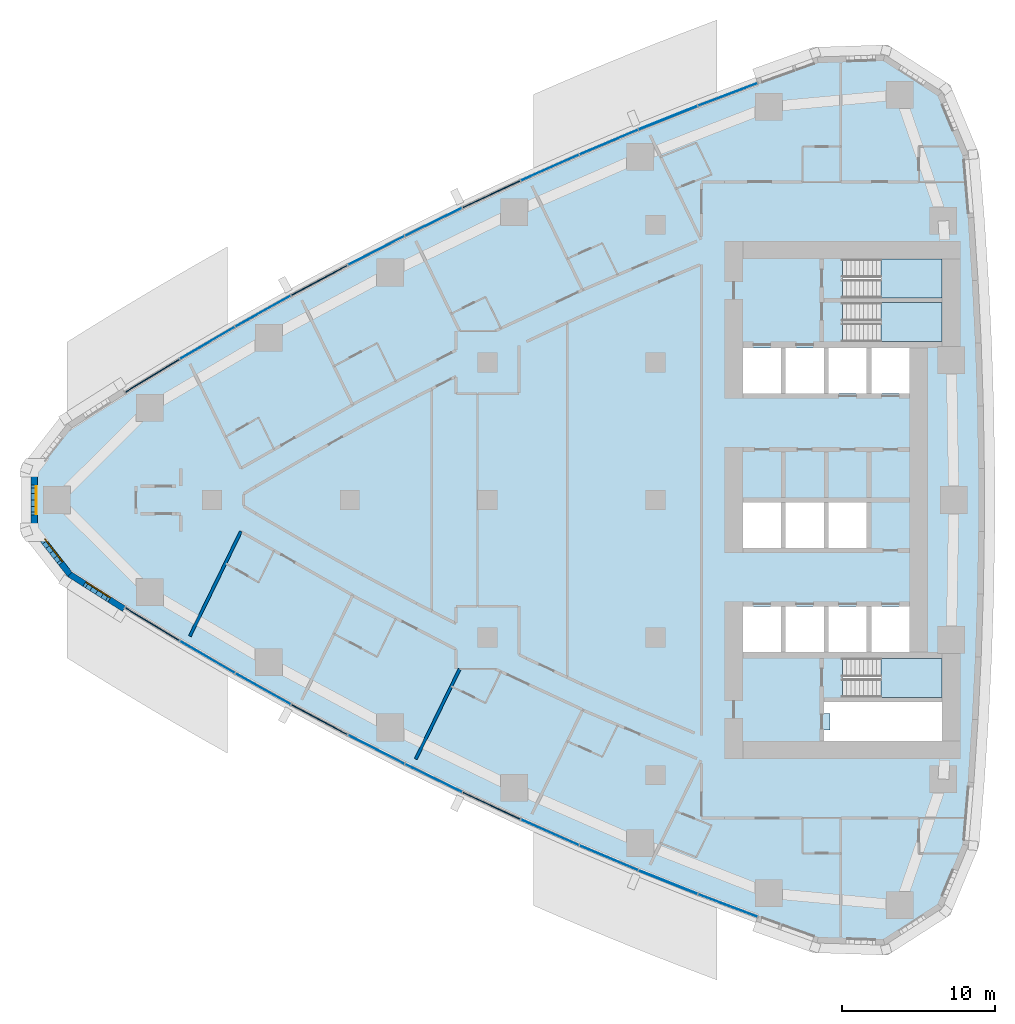
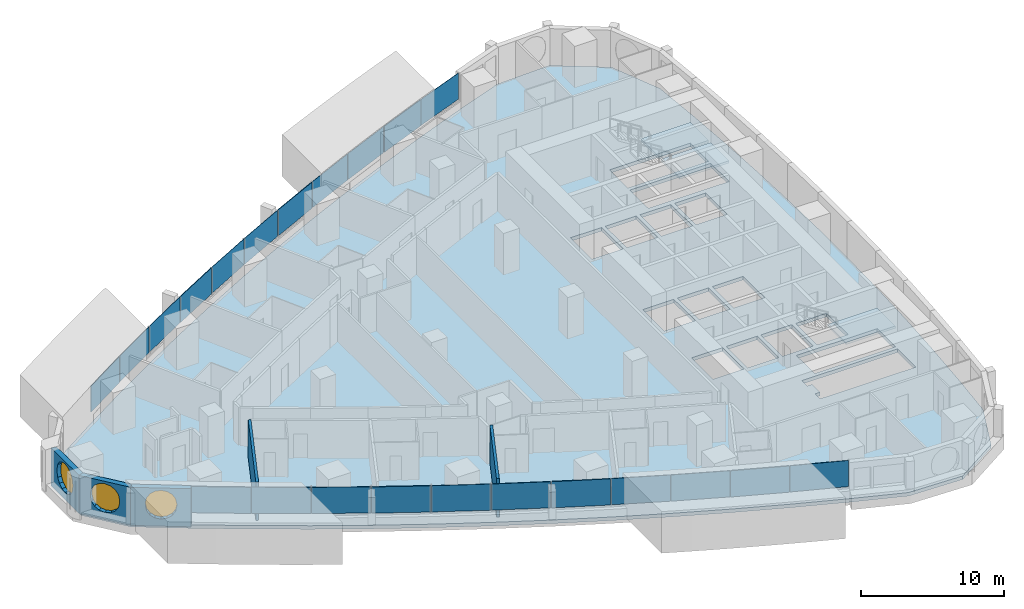
# One storey, part 8 of 19: 22 plates, 5 walls, 4 slabs, 3 windows, 4 openings, 13 elements without a shape of their own.
"""IFC4 building model written with IfcOpenShell, lengths in metres."""

import ifcopenshell
import ifcopenshell.guid

model = None  # the IFC model being written
_history = None  # IfcOwnerHistory: only IFC2X3 demands one
_inside = {}  # id of a spatial element -> (the spatial element, [elements in it])
_under = {}  # id of a project, library or spatial element -> (it, [spatial elements below it])
_declared = {}  # id of a project -> (the project, [libraries it declares])
_typed = {}  # id of a type object -> (the type object, [elements of that type])
_made_of = {}  # id of a material, layer set ... -> (it, [elements and type objects made of it])


def new_model(schema):
    """Start an empty IFC model of exactly this schema.

    Asked for "IFC4X3", IfcOpenShell would pick the latest addendum, in which some entities
    have other attributes; the version numbers below select the first issue.
    IFC2X3 requires an IfcOwnerHistory on every rooted entity: one is made here for all.
    """
    global model, _history
    if schema == "IFC4X3":
        model = ifcopenshell.file(schema_version=(4, 3, 0, 0))
    else:
        model = ifcopenshell.file(schema=schema)
    _inside.clear()
    _under.clear()
    _declared.clear()
    _typed.clear()
    _made_of.clear()
    _history = None
    if model.schema == "IFC2X3":
        org = make("IfcOrganization", Name="unknown")
        user = make(
            "IfcPersonAndOrganization",
            ThePerson=make("IfcPerson", FamilyName="unknown"),
            TheOrganization=org,
        )
        app = make(
            "IfcApplication",
            ApplicationDeveloper=org,
            Version="unknown",
            ApplicationFullName="unknown",
            ApplicationIdentifier="unknown",
        )
        _history = make(
            "IfcOwnerHistory",
            OwningUser=user,
            OwningApplication=app,
            ChangeAction="ADDED",
            CreationDate=0,
        )
    return model


def make(cls, **values):
    """One entity of the class cls with the attributes given. An attribute that is None is left unset."""
    return model.create_entity(
        cls, **{name: value for name, value in values.items() if value is not None}
    )


def rooted(cls, **values):
    """An entity with a GlobalId (a new one), such as an element, a storey or a relation."""
    return make(cls, GlobalId=ifcopenshell.guid.new(), OwnerHistory=_history, **values)


def si_unit(unit_type, name, prefix=None):
    """IfcSIUnit, for example si_unit("LENGTHUNIT", "METRE", prefix="MILLI")."""
    return make("IfcSIUnit", UnitType=unit_type, Prefix=prefix, Name=name)


def assignment(units):
    """IfcUnitAssignment: the units of a project."""
    return None if units is None else make("IfcUnitAssignment", Units=units)


def point(xyz):
    """IfcCartesianPoint."""
    return None if xyz is None else make("IfcCartesianPoint", Coordinates=xyz)


def direction(xyz):
    """IfcDirection."""
    return None if xyz is None else make("IfcDirection", DirectionRatios=xyz)


def frame(location, z_axis=None, x_axis=None):
    """IfcAxis2Placement3D, a coordinate frame: its origin and axes. An axis left out is left unset."""
    return make(
        "IfcAxis2Placement3D",
        Location=point(location),
        Axis=direction(z_axis),
        RefDirection=direction(x_axis),
    )


def frame_2d(location, x_axis=None):
    """IfcAxis2Placement2D, a coordinate frame in the plane: its origin and x axis."""
    return make(
        "IfcAxis2Placement2D", Location=point(location), RefDirection=direction(x_axis)
    )


def origin():
    """The frame at (0, 0, 0) with its axes left unset."""
    return frame((0.0, 0.0, 0.0))


def origin_2d():
    """The frame at (0, 0) in the plane with its x axis left unset."""
    return frame_2d((0.0, 0.0))


def place(relative_to, where):
    """IfcLocalPlacement: puts the frame where relative to a parent placement (None: the world)."""
    return make(
        "IfcLocalPlacement", PlacementRelTo=relative_to, RelativePlacement=where
    )


def context(
    kind, dimensions, precision=None, world=None, true_north=None, identifier=None
):
    """IfcGeometricRepresentationContext, for example the 3D "Model" context."""
    return make(
        "IfcGeometricRepresentationContext",
        ContextIdentifier=identifier,
        ContextType=kind,
        CoordinateSpaceDimension=dimensions,
        Precision=precision,
        WorldCoordinateSystem=world,
        TrueNorth=true_north,
    )


def subcontext(parent, identifier, kind, view, scale=None):
    """IfcGeometricRepresentationSubContext, for example "Body" below "Model"."""
    return make(
        "IfcGeometricRepresentationSubContext",
        ContextIdentifier=identifier,
        ContextType=kind,
        ParentContext=parent,
        TargetScale=scale,
        TargetView=view,
    )


def project(units=None, contexts=None):
    """IfcProject with its units and contexts."""
    return rooted(
        "IfcProject",
        Name="project",
        RepresentationContexts=contexts,
        UnitsInContext=assignment(units),
    )


def spatial(cls, under=None, at=None, **own):
    """A site, building, storey or space (cls), placed at a placement, below another one or the project."""
    s = rooted(cls, ObjectPlacement=at, **own)
    if under is not None:
        _under.setdefault(under.id(), (under, []))[1].append(s)
    return s


def polyline(points):
    """IfcPolyline through the points."""
    return make("IfcPolyline", Points=[point(p) for p in points])


def profile(cls, at=None, kind="AREA", **sizes):
    """A parametric profile (cls). Its sizes go by their IFC names, for example OverallWidth=200.0."""
    return make(cls, ProfileType=kind, Position=at, **sizes)


def rectangle(**sizes):
    """IfcRectangleProfileDef."""
    return profile("IfcRectangleProfileDef", **sizes)


def outline(outer, holes=None, kind="AREA"):
    """IfcArbitraryClosedProfileDef: a profile drawn as a closed curve; with holes, ...WithVoids."""
    if holes is None:
        return make("IfcArbitraryClosedProfileDef", ProfileType=kind, OuterCurve=outer)
    return make(
        "IfcArbitraryProfileDefWithVoids",
        ProfileType=kind,
        OuterCurve=outer,
        InnerCurves=holes,
    )


def extrude(swept, where, along, depth):
    """IfcExtrudedAreaSolid: the profile swept, set in the frame where, extruded along a direction by depth."""
    return make(
        "IfcExtrudedAreaSolid",
        SweptArea=swept,
        Position=where,
        ExtrudedDirection=direction(along),
        Depth=depth,
    )


def shape(context_of_items, identifier, shape_type, items):
    """IfcShapeRepresentation: the items that make up one representation, for example the "Body"."""
    return make(
        "IfcShapeRepresentation",
        ContextOfItems=context_of_items,
        RepresentationIdentifier=identifier,
        RepresentationType=shape_type,
        Items=items,
    )


def material(Name=None, Category=None):
    """IfcMaterial."""
    return make("IfcMaterial", Name=Name, Category=Category)


def layer(
    of_material, thickness, ventilated=None, Name=None, Category=None, Priority=None
):
    """IfcMaterialLayer: one layer of a wall or slab, of a material (None: an air gap)."""
    return make(
        "IfcMaterialLayer",
        Material=of_material,
        LayerThickness=thickness,
        IsVentilated=ventilated,
        Name=Name,
        Category=Category,
        Priority=Priority,
    )


def layer_set(layers, Name=None):
    """IfcMaterialLayerSet."""
    return make("IfcMaterialLayerSet", MaterialLayers=layers, LayerSetName=Name)


def made_of(thing, what):
    """Note that an element or type object is made of a material, layer set ...; save() writes the relation."""
    if what is not None:
        _made_of.setdefault(what.id(), (what, []))[1].append(thing)
    return thing


def type_object(cls, material=None, **own):
    """A type object (cls), such as IfcWallType, which elements share."""
    return made_of(rooted(cls, **own), material)


def element(
    cls,
    number,
    at=None,
    inside=None,
    cuts=None,
    type_object=None,
    material=None,
    context=None,
    identifier="Body",
    shape_type=None,
    held_by="IfcProductDefinitionShape",
    body=None,
    shapes=None,
    **own,
):
    """One element of the class cls, such as IfcWall. Its Tag is "e" and its number.

    at: its placement. inside: the storey or other place that contains it. cuts: it is an
    opening in that element (IfcRelVoidsElement). A single representation is given by context,
    identifier, shape_type and body (its items); several are given by shapes. held_by: the class
    of the entity that holds the representations. save() writes the other relations.
    """
    e = rooted(cls, Tag="e%d" % number, ObjectPlacement=at, **own)
    if body is not None:
        shapes = [shape(context, identifier, shape_type, body)]
    if shapes is not None:
        e.Representation = make(held_by, Representations=shapes)
    if inside is not None:
        _inside.setdefault(inside.id(), (inside, []))[1].append(e)
    if cuts is not None:
        rooted(
            "IfcRelVoidsElement", RelatingBuildingElement=cuts, RelatedOpeningElement=e
        )
    if type_object is not None:
        _typed.setdefault(type_object.id(), (type_object, []))[1].append(e)
    return made_of(e, material)


def fill(opening, filler):
    """IfcRelFillsElement: the door or window that sits in an opening."""
    return rooted(
        "IfcRelFillsElement",
        RelatingOpeningElement=opening,
        RelatedBuildingElement=filler,
    )


def aggregate(whole, parts):
    """IfcRelAggregates: a whole, such as a stair, and the parts it consists of."""
    return rooted("IfcRelAggregates", RelatingObject=whole, RelatedObjects=parts)


def save(model, path):
    """Write the relations noted so far, then the file.

    IfcRelAggregates (storeys below a building ...), IfcRelContainedInSpatialStructure (elements
    in a storey), IfcRelDefinesByType, IfcRelAssociatesMaterial and IfcRelDeclares: one each for
    every whole, place, type object, material and project.
    """
    for whole, parts in _under.values():
        aggregate(whole, parts)
    for where, things in _inside.values():
        rooted(
            "IfcRelContainedInSpatialStructure",
            RelatedElements=things,
            RelatingStructure=where,
        )
    for kind, things in _typed.values():
        rooted("IfcRelDefinesByType", RelatedObjects=things, RelatingType=kind)
    for what, things in _made_of.values():
        rooted("IfcRelAssociatesMaterial", RelatedObjects=things, RelatingMaterial=what)
    for by, libraries in _declared.values():
        rooted("IfcRelDeclares", RelatingContext=by, RelatedDefinitions=libraries)
    model.write(path)


model = new_model("IFC4")

# Units and contexts
model_context = context("Model", 3, precision=1e-05, world=origin(), true_north=direction((0.0, 1.0)))
body_context = subcontext(model_context, "Body", "Model", "MODEL_VIEW")
ifc_project = project(units=[si_unit("LENGTHUNIT", "METRE"), si_unit("AREAUNIT", "SQUARE_METRE"), si_unit("VOLUMEUNIT", "CUBIC_METRE"), si_unit("PLANEANGLEUNIT", "RADIAN"), si_unit("MASSUNIT", "GRAM", prefix="KILO")], contexts=[model_context])

# Site, building, storey
site_placement = place(None, origin())
site = spatial("IfcSite", under=ifc_project, at=site_placement, CompositionType="ELEMENT")
building_placement = place(site_placement, origin())
building = spatial("IfcBuilding", under=site, at=building_placement, Name="Ostrand Prow Hotel Tower", CompositionType="ELEMENT")
storey_placement = place(building_placement, frame((0.0, 0.0, 50.25)))
storey = spatial("IfcBuildingStorey", under=building, at=storey_placement, Name="L10", CompositionType="ELEMENT", Elevation=50.25)

# Curtain wall, plate
ifc_material_1 = material(Name="Insulated glass in bronze anodised frame", Category="glass")
ifc_layer_1 = layer(ifc_material_1, 0.199951171875)
ifc_layer_set_1 = layer_set([ifc_layer_1], Name="Insulated glass in bronze anodised frame")
curtain_wall_type = type_object("IfcCurtainWallType", Name="Strip curtain wall, fritted glass over bronze spandrel", PredefinedType="NOTDEFINED", material=ifc_layer_set_1)
curtain_wall_1_placement = place(storey_placement, origin())
curtain_wall_1 = element("IfcCurtainWall", 1, at=curtain_wall_1_placement, inside=storey, type_object=curtain_wall_type, Name="CW1 run CWS1", PredefinedType="NOTDEFINED")
ifc_material_2 = material(Name="Ceramic-fritted glass", Category="glass")
ifc_layer_2 = layer(ifc_material_2, 0.031982421875)
ifc_layer_set_2 = layer_set([ifc_layer_2], Name="Ceramic-fritted glass")
plate_type_1 = type_object("IfcPlateType", Name="Dot-fritted ceramic glass unit 32 mm", PredefinedType="CURTAIN_PANEL", material=ifc_layer_set_2)
plate_1_placement = place(storey_placement, frame((15.688720703125, -10.268798828125, 1.02001953125), z_axis=(0.0, 0.0, 1.0), x_axis=(0.863690392896, -0.50402272292, 0.0)))
plate_1 = element("IfcPlate", 2, at=plate_1_placement, type_object=plate_type_1, Name="CW1 PN-D panel 2.2", PredefinedType="CURTAIN_PANEL", context=body_context, shape_type="SweptSolid", body=[
    extrude(rectangle(XDim=4.13427734375, YDim=0.031982421875, at=origin_2d()), origin(), (0.0, 0.0, 1.0), 2.22998046875),
])

# Curtain wall, plates
curtain_wall_2_placement = place(storey_placement, origin())
curtain_wall_2 = element("IfcCurtainWall", 3, at=curtain_wall_2_placement, inside=storey, type_object=curtain_wall_type, Name="CW1 run CWS2", PredefinedType="NOTDEFINED")
plate_2_placement = place(storey_placement, frame((19.33056640625, -12.349365234375, 1.02001953125), z_axis=(0.0, 0.0, 1.0), x_axis=(0.872819029241, -0.488043996167, 0.0)))
plate_2 = element("IfcPlate", 4, at=plate_2_placement, type_object=plate_type_1, Name="CW1 PN-D panel 1.2", PredefinedType="CURTAIN_PANEL", context=body_context, shape_type="SweptSolid", body=[
    extrude(rectangle(XDim=4.13427734375, YDim=0.031982421875, at=origin_2d()), origin(), (0.0, 0.0, 1.0), 2.22998046875),
])
plate_3_placement = place(storey_placement, frame((26.7255859375, -16.3076171875, 1.02001953125), z_axis=(0.0, 0.0, 1.0), x_axis=(0.890186565631, -0.455596179055, 0.0)))
plate_3 = element("IfcPlate", 5, at=plate_3_placement, type_object=plate_type_1, Name="CW1 PN-D panel 3.2", PredefinedType="CURTAIN_PANEL", context=body_context, shape_type="SweptSolid", body=[
    extrude(rectangle(XDim=4.13427734375, YDim=0.031982421875, at=origin_2d()), origin(), (0.0, 0.0, 1.0), 2.22998046875),
])

# Curtain wall, plate
curtain_wall_3_placement = place(storey_placement, origin())
curtain_wall_3 = element("IfcCurtainWall", 6, at=curtain_wall_3_placement, inside=storey, type_object=curtain_wall_type, Name="CW1 run CWS3", PredefinedType="NOTDEFINED")
plate_4_placement = place(storey_placement, frame((30.4765625, -18.183837890625, 1.02001953125), z_axis=(0.0, 0.0, 1.0), x_axis=(0.898419584131, -0.439138077204, 0.0)))
plate_4 = element("IfcPlate", 7, at=plate_4_placement, type_object=plate_type_1, Name="CW1 PN-D panel 1.2", PredefinedType="CURTAIN_PANEL", context=body_context, shape_type="SweptSolid", body=[
    extrude(rectangle(XDim=4.13427734375, YDim=0.031982421875, at=origin_2d()), origin(), (0.0, 0.0, 1.0), 2.22998046875),
])

# Curtain wall, plates
curtain_wall_4_placement = place(storey_placement, origin())
curtain_wall_4 = element("IfcCurtainWall", 8, at=curtain_wall_4_placement, inside=storey, type_object=curtain_wall_type, Name="CW1 run CWS4", PredefinedType="NOTDEFINED")
plate_5_placement = place(storey_placement, frame((38.078857421875, -21.72802734375, 1.02001953125), z_axis=(0.0, 0.0, 1.0), x_axis=(0.913970890274, -0.405779757666, 0.0)))
plate_5 = element("IfcPlate", 9, at=plate_5_placement, type_object=plate_type_1, Name="CW1 PN-D panel 1.2", PredefinedType="CURTAIN_PANEL", context=body_context, shape_type="SweptSolid", body=[
    extrude(rectangle(XDim=4.13427734375, YDim=0.031982421875, at=origin_2d()), origin(), (0.0, 0.0, 1.0), 2.22998046875),
])
plate_6_placement = place(storey_placement, frame((41.927490234375, -23.39453125, 1.02001953125), z_axis=(0.0, 0.0, 1.0), x_axis=(0.921283173987, -0.388892418709, 0.0)))
plate_6 = element("IfcPlate", 10, at=plate_6_placement, type_object=plate_type_1, Name="CW1 PN-D panel 2.2", PredefinedType="CURTAIN_PANEL", context=body_context, shape_type="SweptSolid", body=[
    extrude(rectangle(XDim=4.13427734375, YDim=0.031982421875, at=origin_2d()), origin(), (0.0, 0.0, 1.0), 2.22998046875),
])
aggregate(curtain_wall_4, [plate_5, plate_6])

# Curtain wall, plate
curtain_wall_5_placement = place(storey_placement, origin())
curtain_wall_5 = element("IfcCurtainWall", 11, at=curtain_wall_5_placement, inside=storey, type_object=curtain_wall_type, Name="CW1 run CWS5", PredefinedType="NOTDEFINED")
plate_7_placement = place(storey_placement, frame((49.7138671875, -26.513671875, 1.02001953125), z_axis=(0.0, 0.0, 1.0), x_axis=(0.934969388384, -0.354728407072, 0.0)))
plate_7 = element("IfcPlate", 12, at=plate_7_placement, type_object=plate_type_1, Name="CW1 PN-D panel 2.2", PredefinedType="CURTAIN_PANEL", context=body_context, shape_type="SweptSolid", body=[
    extrude(rectangle(XDim=4.13427734375, YDim=0.031982421875, at=origin_2d()), origin(), (0.0, 0.0, 1.0), 2.22998046875),
])

curtain_wall_6_placement = place(storey_placement, origin())
curtain_wall_6 = element("IfcCurtainWall", 13, at=curtain_wall_6_placement, inside=storey, type_object=curtain_wall_type, Name="CW1 run CWN1", PredefinedType="NOTDEFINED")
plate_8_placement = place(storey_placement, frame((49.7138671875, 26.513671875, 1.02001953125), z_axis=(0.0, 0.0, 1.0), x_axis=(-0.934969388384, -0.354728407072, 0.0)))
plate_8 = element("IfcPlate", 14, at=plate_8_placement, type_object=plate_type_1, Name="CW1 PN-D panel 1.2", PredefinedType="CURTAIN_PANEL", context=body_context, shape_type="SweptSolid", body=[
    extrude(rectangle(XDim=4.13427734375, YDim=0.031982421875, at=origin_2d()), origin(), (0.0, 0.0, 1.0), 2.22998046875),
])

# Curtain wall, plates
curtain_wall_7_placement = place(storey_placement, origin())
curtain_wall_7 = element("IfcCurtainWall", 15, at=curtain_wall_7_placement, inside=storey, type_object=curtain_wall_type, Name="CW1 run CWN2", PredefinedType="NOTDEFINED")
plate_9_placement = place(storey_placement, frame((41.927490234375, 23.39453125, 1.02001953125), z_axis=(0.0, 0.0, 1.0), x_axis=(-0.921283173987, -0.388892418709, 0.0)))
plate_9 = element("IfcPlate", 16, at=plate_9_placement, type_object=plate_type_1, Name="CW1 PN-D panel 1.2", PredefinedType="CURTAIN_PANEL", context=body_context, shape_type="SweptSolid", body=[
    extrude(rectangle(XDim=4.13427734375, YDim=0.031982421875, at=origin_2d()), origin(), (0.0, 0.0, 1.0), 2.22998046875),
])
plate_10_placement = place(storey_placement, frame((38.078857421875, 21.72802734375, 1.02001953125), z_axis=(0.0, 0.0, 1.0), x_axis=(-0.913970890274, -0.405779757666, 0.0)))
plate_10 = element("IfcPlate", 17, at=plate_10_placement, type_object=plate_type_1, Name="CW1 PN-D panel 2.2", PredefinedType="CURTAIN_PANEL", context=body_context, shape_type="SweptSolid", body=[
    extrude(rectangle(XDim=4.13427734375, YDim=0.031982421875, at=origin_2d()), origin(), (0.0, 0.0, 1.0), 2.22998046875),
])
aggregate(curtain_wall_7, [plate_9, plate_10])

# Curtain wall, plate
curtain_wall_8_placement = place(storey_placement, origin())
curtain_wall_8 = element("IfcCurtainWall", 18, at=curtain_wall_8_placement, inside=storey, type_object=curtain_wall_type, Name="CW1 run CWN3", PredefinedType="NOTDEFINED")
plate_11_placement = place(storey_placement, frame((30.4765625, 18.183837890625, 1.02001953125), z_axis=(0.0, 0.0, 1.0), x_axis=(-0.898419584131, -0.439138077204, 0.0)))
plate_11 = element("IfcPlate", 19, at=plate_11_placement, type_object=plate_type_1, Name="CW1 PN-D panel 2.2", PredefinedType="CURTAIN_PANEL", context=body_context, shape_type="SweptSolid", body=[
    extrude(rectangle(XDim=4.13427734375, YDim=0.031982421875, at=origin_2d()), origin(), (0.0, 0.0, 1.0), 2.22998046875),
])

# Curtain wall, plates
curtain_wall_9_placement = place(storey_placement, origin())
curtain_wall_9 = element("IfcCurtainWall", 20, at=curtain_wall_9_placement, inside=storey, type_object=curtain_wall_type, Name="CW1 run CWN4", PredefinedType="NOTDEFINED")
plate_12_placement = place(storey_placement, frame((26.7255859375, 16.3076171875, 1.02001953125), z_axis=(0.0, 0.0, 1.0), x_axis=(-0.890186565631, -0.455596179055, 0.0)))
plate_12 = element("IfcPlate", 21, at=plate_12_placement, type_object=plate_type_1, Name="CW1 PN-D panel 1.2", PredefinedType="CURTAIN_PANEL", context=body_context, shape_type="SweptSolid", body=[
    extrude(rectangle(XDim=4.13427734375, YDim=0.031982421875, at=origin_2d()), origin(), (0.0, 0.0, 1.0), 2.22998046875),
])
plate_13_placement = place(storey_placement, frame((19.33056640625, 12.349365234375, 1.02001953125), z_axis=(0.0, 0.0, 1.0), x_axis=(-0.872819029241, -0.488043996167, 0.0)))
plate_13 = element("IfcPlate", 22, at=plate_13_placement, type_object=plate_type_1, Name="CW1 PN-D panel 3.2", PredefinedType="CURTAIN_PANEL", context=body_context, shape_type="SweptSolid", body=[
    extrude(rectangle(XDim=4.13427734375, YDim=0.031982421875, at=origin_2d()), origin(), (0.0, 0.0, 1.0), 2.22998046875),
])

# Curtain wall, plate
curtain_wall_10_placement = place(storey_placement, origin())
curtain_wall_10 = element("IfcCurtainWall", 23, at=curtain_wall_10_placement, inside=storey, type_object=curtain_wall_type, Name="CW1 run CWN5", PredefinedType="NOTDEFINED")
plate_14_placement = place(storey_placement, frame((15.688720703125, 10.268798828125, 1.02001953125), z_axis=(0.0, 0.0, 1.0), x_axis=(-0.863690392896, -0.50402272292, 0.0)))
plate_14 = element("IfcPlate", 24, at=plate_14_placement, type_object=plate_type_1, Name="CW1 PN-D panel 1.2", PredefinedType="CURTAIN_PANEL", context=body_context, shape_type="SweptSolid", body=[
    extrude(rectangle(XDim=4.13427734375, YDim=0.031982421875, at=origin_2d()), origin(), (0.0, 0.0, 1.0), 2.22998046875),
])

# Plate
ifc_material_3 = material(Name="Fritted glass in bronze vent frame", Category="glass")
ifc_layer_3 = layer(ifc_material_3, 0.06005859375)
ifc_layer_set_3 = layer_set([ifc_layer_3], Name="Fritted glass in bronze vent frame")
plate_type_2 = type_object("IfcPlateType", Name="Operable vent panel 60 mm", PredefinedType="CURTAIN_PANEL", material=ifc_layer_set_3)
plate_15_placement = place(storey_placement, frame((12.0859375, -8.12158203125, 1.02001953125), z_axis=(0.0, 0.0, 1.0), x_axis=(0.854269266322, -0.519830761515, 0.0)))
plate_15 = element("IfcPlate", 25, at=plate_15_placement, type_object=plate_type_2, Name="CW1 PN-O panel 1.2", PredefinedType="CURTAIN_PANEL", context=body_context, shape_type="SweptSolid", body=[
    extrude(rectangle(XDim=4.13427734375, YDim=0.06005859375, at=origin_2d()), origin(), (0.0, 0.0, 1.0), 2.22998046875),
])

aggregate(curtain_wall_1, [plate_15, plate_1])

plate_16_placement = place(storey_placement, frame((23.009765625, -14.362548828125, 1.02001953125), z_axis=(0.0, 0.0, 1.0), x_axis=(0.881652083929, -0.471899992481, 0.0)))
plate_16 = element("IfcPlate", 26, at=plate_16_placement, type_object=plate_type_2, Name="CW1 PN-O panel 2.2", PredefinedType="CURTAIN_PANEL", context=body_context, shape_type="SweptSolid", body=[
    extrude(rectangle(XDim=4.13427734375, YDim=0.06005859375, at=origin_2d()), origin(), (0.0, 0.0, 1.0), 2.22998046875),
])

aggregate(curtain_wall_2, [plate_2, plate_16, plate_3])

plate_17_placement = place(storey_placement, frame((34.26123046875, -19.990966796875, 1.02001953125), z_axis=(0.0, 0.0, 1.0), x_axis=(0.906349088757, -0.422529678615, 0.0)))
plate_17 = element("IfcPlate", 27, at=plate_17_placement, type_object=plate_type_2, Name="CW1 PN-O panel 2.2", PredefinedType="CURTAIN_PANEL", context=body_context, shape_type="SweptSolid", body=[
    extrude(rectangle(XDim=4.13427734375, YDim=0.06005859375, at=origin_2d()), origin(), (0.0, 0.0, 1.0), 2.22998046875),
])

aggregate(curtain_wall_3, [plate_4, plate_17])

plate_18_placement = place(storey_placement, frame((45.806396484375, -24.989990234375, 1.02001953125), z_axis=(0.0, 0.0, 1.0), x_axis=(0.928283463577, -0.371873380669, 0.0)))
plate_18 = element("IfcPlate", 28, at=plate_18_placement, type_object=plate_type_2, Name="CW1 PN-O panel 1.2", PredefinedType="CURTAIN_PANEL", context=body_context, shape_type="SweptSolid", body=[
    extrude(rectangle(XDim=4.13427734375, YDim=0.06005859375, at=origin_2d()), origin(), (0.0, 0.0, 1.0), 2.22998046875),
])

aggregate(curtain_wall_5, [plate_18, plate_7])

plate_19_placement = place(storey_placement, frame((45.806396484375, 24.989990234375, 1.02001953125), z_axis=(0.0, 0.0, 1.0), x_axis=(-0.928283463577, -0.371873380669, 0.0)))
plate_19 = element("IfcPlate", 29, at=plate_19_placement, type_object=plate_type_2, Name="CW1 PN-O panel 2.2", PredefinedType="CURTAIN_PANEL", context=body_context, shape_type="SweptSolid", body=[
    extrude(rectangle(XDim=4.13427734375, YDim=0.06005859375, at=origin_2d()), origin(), (0.0, 0.0, 1.0), 2.22998046875),
])

aggregate(curtain_wall_6, [plate_8, plate_19])

plate_20_placement = place(storey_placement, frame((34.26123046875, 19.990966796875, 1.02001953125), z_axis=(0.0, 0.0, 1.0), x_axis=(-0.906349088757, -0.422529678615, 0.0)))
plate_20 = element("IfcPlate", 30, at=plate_20_placement, type_object=plate_type_2, Name="CW1 PN-O panel 1.2", PredefinedType="CURTAIN_PANEL", context=body_context, shape_type="SweptSolid", body=[
    extrude(rectangle(XDim=4.13427734375, YDim=0.06005859375, at=origin_2d()), origin(), (0.0, 0.0, 1.0), 2.22998046875),
])

aggregate(curtain_wall_8, [plate_20, plate_11])

plate_21_placement = place(storey_placement, frame((23.009765625, 14.362548828125, 1.02001953125), z_axis=(0.0, 0.0, 1.0), x_axis=(-0.881652083929, -0.471899992481, 0.0)))
plate_21 = element("IfcPlate", 31, at=plate_21_placement, type_object=plate_type_2, Name="CW1 PN-O panel 2.2", PredefinedType="CURTAIN_PANEL", context=body_context, shape_type="SweptSolid", body=[
    extrude(rectangle(XDim=4.13427734375, YDim=0.06005859375, at=origin_2d()), origin(), (0.0, 0.0, 1.0), 2.22998046875),
])

aggregate(curtain_wall_9, [plate_12, plate_21, plate_13])

plate_22_placement = place(storey_placement, frame((12.0859375, 8.12158203125, 1.02001953125), z_axis=(0.0, 0.0, 1.0), x_axis=(-0.854269266322, -0.519830761515, 0.0)))
plate_22 = element("IfcPlate", 32, at=plate_22_placement, type_object=plate_type_2, Name="CW1 PN-O panel 2.2", PredefinedType="CURTAIN_PANEL", context=body_context, shape_type="SweptSolid", body=[
    extrude(rectangle(XDim=4.13427734375, YDim=0.06005859375, at=origin_2d()), origin(), (0.0, 0.0, 1.0), 2.22998046875),
])

aggregate(curtain_wall_10, [plate_14, plate_22])

# Slab, opening
ifc_material_4 = material(Name="Concrete C40/50", Category="concrete")
ifc_layer_4 = layer(ifc_material_4, 0.300048828125)
ifc_layer_set_4 = layer_set([ifc_layer_4], Name="Concrete C40/50")
slab_type_1 = type_object("IfcSlabType", Name="PT flat plate 300 C40/50", PredefinedType="FLOOR", material=ifc_layer_set_4)
slab_1_placement = place(storey_placement, frame((0.0, 0.0, -0.300048828125)))
slab_1 = element("IfcSlab", 33, at=slab_1_placement, inside=storey, type_object=slab_type_1, Name="Floor slab L10-1", PredefinedType="FLOOR", context=body_context, shape_type="SweptSolid", body=[
    extrude(outline(polyline([(6.690673828125, 4.805908203125), (10.26806640625, 7.073974609375), (13.851806640625, 9.2548828125), (17.47509765625, 11.369384765625), (21.136962890625, 13.416748046875), (24.83544921875, 15.396484375), (28.570068359375, 17.3076171875), (32.339111328125, 19.14990234375), (36.141357421875, 20.922607421875), (39.9755859375, 22.625), (43.840576171875, 24.25634765625), (47.73486328125, 25.81640625), (51.6572265625, 27.3046875), (55.64111328125, 28.73291015625), (59.92333984375, 28.873046875), (63.55908203125, 26.53369140625), (65.2060546875, 22.578369140625), (65.552978515625, 18.45166015625), (65.828369140625, 14.356689453125), (66.034912109375, 10.2578125), (66.172607421875, 6.15576171875), (66.241455078125, 2.052001953125), (66.241455078125, -2.052001953125), (66.172607421875, -6.15576171875), (66.034912109375, -10.2578125), (65.828369140625, -14.356689453125), (65.552978515625, -18.45166015625), (65.2060546875, -22.578369140625), (63.55908203125, -26.53369140625), (59.92333984375, -28.873046875), (55.64111328125, -28.73291015625), (51.6572265625, -27.3046875), (47.73486328125, -25.81640625), (43.840576171875, -24.25634765625), (39.9755859375, -22.625), (36.141357421875, -20.922607421875), (32.339111328125, -19.14990234375), (28.570068359375, -17.3076171875), (24.83544921875, -15.396484375), (21.136962890625, -13.416748046875), (17.47509765625, -11.369384765625), (13.851806640625, -9.2548828125), (10.26806640625, -7.073974609375), (6.690673828125, -4.805908203125), (4.399169921875, -1.8798828125), (4.399169921875, 1.8798828125), (6.690673828125, 4.805908203125)]), holes=[polyline([(50.699951171875, 6.949951171875), (53.199951171875, 6.949951171875), (53.199951171875, 9.949951171875), (50.699951171875, 9.949951171875), (50.699951171875, 6.949951171875)]), polyline([(53.5, 6.949951171875), (56.0, 6.949951171875), (56.0, 9.949951171875), (53.5, 9.949951171875), (53.5, 6.949951171875)]), polyline([(56.300048828125, 6.949951171875), (58.800048828125, 6.949951171875), (58.800048828125, 9.949951171875), (56.300048828125, 9.949951171875), (56.300048828125, 6.949951171875)]), polyline([(59.10009765625, 6.949951171875), (61.60009765625, 6.949951171875), (61.60009765625, 9.949951171875), (59.10009765625, 9.949951171875), (59.10009765625, 6.949951171875)]), polyline([(50.699951171875, -3.14990234375), (53.199951171875, -3.14990234375), (53.199951171875, -0.14990234375), (50.699951171875, -0.14990234375), (50.699951171875, -3.14990234375)]), polyline([(53.5, -3.14990234375), (56.0, -3.14990234375), (56.0, -0.14990234375), (53.5, -0.14990234375), (53.5, -3.14990234375)]), polyline([(56.300048828125, -3.14990234375), (58.800048828125, -3.14990234375), (58.800048828125, -0.14990234375), (56.300048828125, -0.14990234375), (56.300048828125, -3.14990234375)]), polyline([(50.699951171875, -9.949951171875), (53.199951171875, -9.949951171875), (53.199951171875, -6.949951171875), (50.699951171875, -6.949951171875), (50.699951171875, -9.949951171875)]), polyline([(53.5, -9.949951171875), (56.0, -9.949951171875), (56.0, -6.949951171875), (53.5, -6.949951171875), (53.5, -9.949951171875)]), polyline([(56.300048828125, -9.949951171875), (58.800048828125, -9.949951171875), (58.800048828125, -6.949951171875), (56.300048828125, -6.949951171875), (56.300048828125, -9.949951171875)]), polyline([(59.10009765625, -9.949951171875), (61.60009765625, -9.949951171875), (61.60009765625, -6.949951171875), (59.10009765625, -6.949951171875), (59.10009765625, -9.949951171875)]), polyline([(57.200927734375, 10.35107421875), (57.200927734375, 12.89892578125), (63.718994140625, 12.89892578125), (63.718994140625, 10.35107421875), (57.200927734375, 10.35107421875)]), polyline([(57.200927734375, 13.200927734375), (57.200927734375, 15.7490234375), (63.718994140625, 15.7490234375), (63.718994140625, 13.200927734375), (57.200927734375, 13.200927734375)]), polyline([(57.200927734375, -12.89892578125), (57.200927734375, -10.35107421875), (63.718994140625, -10.35107421875), (63.718994140625, -12.89892578125), (57.200927734375, -12.89892578125)]), polyline([(56.0, -13.199951171875), (63.719970703125, -13.199951171875), (63.719970703125, -15.75), (56.0, -15.75), (56.0, -15.050048828125), (56.39990234375, -15.050048828125), (56.39990234375, -13.949951171875), (56.0, -13.949951171875), (56.0, -13.199951171875)])]), origin(), (0.0, 0.0, 1.0), 0.300048828125),
])
opening_1_placement = place(slab_1_placement, origin())
element("IfcOpeningElement", 34, at=opening_1_placement, cuts=slab_1, Name="Shaft opening 1", PredefinedType="OPENING", context=body_context, shape_type="SweptSolid", body=[
    extrude(outline(polyline([(56.0, -13.199951171875), (63.719970703125, -13.199951171875), (63.719970703125, -15.75), (56.0, -15.75), (56.0, -15.050048828125), (56.39990234375, -15.050048828125), (56.39990234375, -13.949951171875), (56.0, -13.949951171875), (56.0, -13.199951171875)])), origin(), (0.0, 0.0, 1.0), 0.300048828125),
])

# Stair, slab
ifc_material_5 = material(Name="Concrete C40/50", Category="concrete")
stair_type = type_object("IfcStairType", Name="Exit stair 1200 upper zone", PredefinedType="HALF_TURN_STAIR", material=ifc_material_5)
stair_1_placement = place(storey_placement, origin())
stair_1 = element("IfcStair", 35, at=stair_1_placement, inside=storey, type_object=stair_type, Name="L10 ST1C", PredefinedType="HALF_TURN_STAIR")
ifc_material_6 = material(Name="Concrete C40/50", Category="concrete")
ifc_layer_5 = layer(ifc_material_6, 0.199951171875)
ifc_layer_set_5 = layer_set([ifc_layer_5], Name="Concrete C40/50")
slab_type_2 = type_object("IfcSlabType", Name="Stair landing 200 concrete", PredefinedType="LANDING", material=ifc_layer_set_5)
slab_2_placement = place(storey_placement, frame((0.0, 0.0, 1.574951171875)))
slab_2 = element("IfcSlab", 36, at=slab_2_placement, type_object=slab_type_2, Name="ST1C landing 1", PredefinedType="LANDING", context=body_context, shape_type="SweptSolid", body=[
    extrude(outline(polyline([(59.719970703125, 10.35009765625), (63.719970703125, 10.35009765625), (63.719970703125, 12.89990234375), (59.719970703125, 12.89990234375), (59.719970703125, 10.35009765625)])), origin(), (0.0, 0.0, 1.0), 0.199951171875),
])
aggregate(stair_1, [slab_2])

stair_2_placement = place(storey_placement, origin())
stair_2 = element("IfcStair", 37, at=stair_2_placement, inside=storey, type_object=stair_type, Name="L10 ST3C", PredefinedType="HALF_TURN_STAIR")
slab_3_placement = place(storey_placement, frame((0.0, 0.0, 1.574951171875)))
slab_3 = element("IfcSlab", 38, at=slab_3_placement, type_object=slab_type_2, Name="ST3C landing 1", PredefinedType="LANDING", context=body_context, shape_type="SweptSolid", body=[
    extrude(outline(polyline([(59.719970703125, 13.199951171875), (63.719970703125, 13.199951171875), (63.719970703125, 15.75), (59.719970703125, 15.75), (59.719970703125, 13.199951171875)])), origin(), (0.0, 0.0, 1.0), 0.199951171875),
])
aggregate(stair_2, [slab_3])

stair_3_placement = place(storey_placement, origin())
stair_3 = element("IfcStair", 39, at=stair_3_placement, inside=storey, type_object=stair_type, Name="L10 ST2C", PredefinedType="HALF_TURN_STAIR")
slab_4_placement = place(storey_placement, frame((0.0, 0.0, 1.574951171875)))
slab_4 = element("IfcSlab", 40, at=slab_4_placement, type_object=slab_type_2, Name="ST2C landing 1", PredefinedType="LANDING", context=body_context, shape_type="SweptSolid", body=[
    extrude(outline(polyline([(59.719970703125, -12.89990234375), (63.719970703125, -12.89990234375), (63.719970703125, -10.35009765625), (59.719970703125, -10.35009765625), (59.719970703125, -12.89990234375)])), origin(), (0.0, 0.0, 1.0), 0.199951171875),
])
aggregate(stair_3, [slab_4])

# Walls
ifc_material_7 = material(Name="Plasterboard partition")
ifc_layer_6 = layer(ifc_material_7, 0.199951171875)
ifc_layer_set_6 = layer_set([ifc_layer_6], Name="Plasterboard partition")
wall_type_1 = type_object("IfcWallType", Name="Partition 200 key partition", PredefinedType="PARTITIONING", material=ifc_layer_set_6)
wall_1_placement = place(storey_placement, frame((14.540771484375, -8.904296875, 0.0), z_axis=(0.0, 0.0, 1.0), x_axis=(0.438213564788, 0.898870887078, 0.0)))
element("IfcWall", 41, at=wall_1_placement, inside=storey, type_object=wall_type_1, Name="KEY PARTITION", PredefinedType="PARTITIONING", context=body_context, shape_type="SweptSolid", body=[
    extrude(rectangle(XDim=7.62548828125, YDim=0.199951171875, at=frame_2d((3.812744140625, 0.0))), origin(), (0.0, 0.0, 1.0), 3.25),
])
wall_2_placement = place(storey_placement, frame((29.310302734375, -16.946044921875, 0.0), z_axis=(0.0, 0.0, 1.0), x_axis=(0.438228560869, 0.898863576099, 0.0)))
element("IfcWall", 42, at=wall_2_placement, inside=storey, type_object=wall_type_1, Name="KEY PARTITION", PredefinedType="PARTITIONING", context=body_context, shape_type="SweptSolid", body=[
    extrude(rectangle(XDim=6.559326171875, YDim=0.199951171875, at=frame_2d((3.27978515625, 0.0))), origin(), (0.0, 0.0, 1.0), 3.25),
])

# Wall, opening, window
ifc_material_8 = material(Name="Precast concrete C40/50", Category="concrete")
ifc_layer_7 = layer(ifc_material_8, 0.39990234375)
ifc_layer_set_7 = layer_set([ifc_layer_7], Name="Precast concrete C40/50")
wall_type_2 = type_object("IfcWallType", Name="Stone-faced precast wall 400 mm", PredefinedType="NOTDEFINED", material=ifc_layer_set_7)
wall_3_placement = place(storey_placement, frame((4.365478515625, 1.891357421875, 0.0), z_axis=(0.0, 0.0, 1.0), x_axis=(0.0, -1.0, 0.0)))
wall_3 = element("IfcWall", 43, at=wall_3_placement, inside=storey, type_object=wall_type_2, Name="Stone-faced wall prow 3", PredefinedType="NOTDEFINED", context=body_context, shape_type="SweptSolid", body=[
    extrude(outline(polyline([(-0.069091796875, -0.199951171875), (3.851806640625, -0.199951171875), (3.713623046875, 0.199951171875), (0.069091796875, 0.199951171875), (-0.069091796875, -0.199951171875)])), origin(), (0.0, 0.0, 1.0), 3.25),
])
opening_2_placement = place(wall_3_placement, frame((0.79150390625, 0.0, 0.60009765625)))
opening_2 = element("IfcOpeningElement", 44, at=opening_2_placement, cuts=wall_3, Name="Opening WP1", PredefinedType="OPENING", context=body_context, shape_type="SweptSolid", body=[
    extrude(outline(polyline([(0.0, 1.35009765625), (0.083740234375, 1.77099609375), (0.322265625, 2.127685546875), (0.678955078125, 2.3662109375), (1.10009765625, 2.449951171875), (1.52099609375, 2.3662109375), (1.877685546875, 2.127685546875), (2.1162109375, 1.77099609375), (2.199951171875, 1.35009765625), (2.199951171875, 1.10009765625), (2.1162109375, 0.678955078125), (1.877685546875, 0.322265625), (1.52099609375, 0.083740234375), (1.10009765625, 0.0), (0.678955078125, 0.083740234375), (0.322265625, 0.322265625), (0.083740234375, 0.678955078125), (0.0, 1.099853515625), (0.0, 1.35009765625)])), frame((0.0, 0.2099609375, 0.0), z_axis=(0.0, -1.0, 0.0), x_axis=(1.0, 0.0, 0.0)), (0.0, 0.0, 1.0), 0.419921875),
])
ifc_material_9 = material(Name="Insulated glass in bronze frame", Category="glass")
window_type = type_object("IfcWindowType", Name="Round-ended prow window 2200x2450", PartitioningType="SINGLE_PANEL", PredefinedType="WINDOW", material=ifc_material_9)
window_1_placement = place(opening_2_placement, origin())
window_1 = element("IfcWindow", 45, at=window_1_placement, inside=storey, type_object=window_type, Name="Window prow 3.1", OverallHeight=2.449951171875, OverallWidth=2.199951171875, PartitioningType="SINGLE_PANEL", PredefinedType="WINDOW", context=body_context, shape_type="SweptSolid", body=[
    extrude(outline(polyline([(0.0, 1.35009765625), (0.083740234375, 1.77099609375), (0.322265625, 2.127685546875), (0.678955078125, 2.3662109375), (1.10009765625, 2.449951171875), (1.52099609375, 2.3662109375), (1.877685546875, 2.127685546875), (2.1162109375, 1.77099609375), (2.199951171875, 1.35009765625), (2.199951171875, 1.10009765625), (2.1162109375, 0.678955078125), (1.877685546875, 0.322265625), (1.52099609375, 0.083740234375), (1.10009765625, 0.0), (0.678955078125, 0.083740234375), (0.322265625, 0.322265625), (0.083740234375, 0.678955078125), (0.0, 1.099853515625), (0.0, 1.35009765625)])), frame((0.0, 0.169921875, 0.0), z_axis=(0.0, -1.0, 0.0), x_axis=(1.0, 0.0, 0.0)), (0.0, 0.0, 1.0), 0.06005859375),
])
fill(opening_2, window_1)

wall_4_placement = place(storey_placement, frame((4.365478515625, -1.891357421875, 0.0), z_axis=(0.0, 0.0, 1.0), x_axis=(0.616586647779, -0.787287054245, 0.0)))
wall_4 = element("IfcWall", 46, at=wall_4_placement, inside=storey, type_object=wall_type_2, Name="Stone-faced wall prow 4", PredefinedType="NOTDEFINED", context=body_context, shape_type="SweptSolid", body=[
    extrude(outline(polyline([(-0.069091796875, -0.199951171875), (3.8173828125, -0.199951171875), (3.74853515625, 0.199951171875), (0.069091796875, 0.199951171875), (-0.069091796875, -0.199951171875)])), origin(), (0.0, 0.0, 1.0), 3.25),
])
opening_3_placement = place(wall_4_placement, frame((0.79150390625, 0.0, 0.60009765625)))
opening_3 = element("IfcOpeningElement", 47, at=opening_3_placement, cuts=wall_4, Name="Opening WP1", PredefinedType="OPENING", context=body_context, shape_type="SweptSolid", body=[
    extrude(outline(polyline([(0.0, 1.35009765625), (0.083740234375, 1.77099609375), (0.322265625, 2.127685546875), (0.678955078125, 2.3662109375), (1.10009765625, 2.449951171875), (1.52099609375, 2.3662109375), (1.877685546875, 2.127685546875), (2.1162109375, 1.77099609375), (2.199951171875, 1.35009765625), (2.199951171875, 1.10009765625), (2.1162109375, 0.678955078125), (1.877685546875, 0.322265625), (1.52099609375, 0.083740234375), (1.10009765625, 0.0), (0.678955078125, 0.083740234375), (0.322265625, 0.322265625), (0.083740234375, 0.678955078125), (0.0, 1.099853515625), (0.0, 1.35009765625)])), frame((0.0, 0.2099609375, 0.0), z_axis=(0.0, -1.0, 0.0), x_axis=(1.0, 0.0, 0.0)), (0.0, 0.0, 1.0), 0.419921875),
])
window_2_placement = place(opening_3_placement, origin())
window_2 = element("IfcWindow", 48, at=window_2_placement, inside=storey, type_object=window_type, Name="Window prow 4.1", OverallHeight=2.449951171875, OverallWidth=2.199951171875, PartitioningType="SINGLE_PANEL", PredefinedType="WINDOW", context=body_context, shape_type="SweptSolid", body=[
    extrude(outline(polyline([(0.0, 1.35009765625), (0.083740234375, 1.77099609375), (0.322265625, 2.127685546875), (0.678955078125, 2.3662109375), (1.10009765625, 2.449951171875), (1.52099609375, 2.3662109375), (1.877685546875, 2.127685546875), (2.1162109375, 1.77099609375), (2.199951171875, 1.35009765625), (2.199951171875, 1.10009765625), (2.1162109375, 0.678955078125), (1.877685546875, 0.322265625), (1.52099609375, 0.083740234375), (1.10009765625, 0.0), (0.678955078125, 0.083740234375), (0.322265625, 0.322265625), (0.083740234375, 0.678955078125), (0.0, 1.099853515625), (0.0, 1.35009765625)])), frame((0.0, 0.169921875, 0.0), z_axis=(0.0, -1.0, 0.0), x_axis=(1.0, 0.0, 0.0)), (0.0, 0.0, 1.0), 0.06005859375),
])
fill(opening_3, window_2)

wall_5_placement = place(storey_placement, frame((6.697998046875, -4.86962890625, 0.0), z_axis=(0.0, 0.0, 1.0), x_axis=(0.844551578623, -0.535474211372, 0.0)))
wall_5 = element("IfcWall", 49, at=wall_5_placement, inside=storey, type_object=wall_type_2, Name="Stone-faced wall prow 5", PredefinedType="NOTDEFINED", context=body_context, shape_type="SweptSolid", body=[
    extrude(outline(polyline([(-0.034423828125, -0.199951171875), (4.196044921875, -0.199951171875), (4.196044921875, 0.199951171875), (0.034423828125, 0.199951171875), (-0.034423828125, -0.199951171875)])), origin(), (0.0, 0.0, 1.0), 3.25),
])
opening_4_placement = place(wall_5_placement, frame((0.998046875, 0.0, 0.60009765625)))
opening_4 = element("IfcOpeningElement", 50, at=opening_4_placement, cuts=wall_5, Name="Opening WP1", PredefinedType="OPENING", context=body_context, shape_type="SweptSolid", body=[
    extrude(outline(polyline([(0.0, 1.35009765625), (0.083740234375, 1.77099609375), (0.322265625, 2.127685546875), (0.678955078125, 2.3662109375), (1.10009765625, 2.449951171875), (1.52099609375, 2.3662109375), (1.877685546875, 2.127685546875), (2.1162109375, 1.77099609375), (2.199951171875, 1.35009765625), (2.199951171875, 1.10009765625), (2.1162109375, 0.678955078125), (1.877685546875, 0.322265625), (1.52099609375, 0.083740234375), (1.10009765625, 0.0), (0.678955078125, 0.083740234375), (0.322265625, 0.322265625), (0.083740234375, 0.678955078125), (0.0, 1.099853515625), (0.0, 1.35009765625)])), frame((0.0, 0.2099609375, 0.0), z_axis=(0.0, -1.0, 0.0), x_axis=(1.0, 0.0, 0.0)), (0.0, 0.0, 1.0), 0.419921875),
])
window_3_placement = place(opening_4_placement, origin())
window_3 = element("IfcWindow", 51, at=window_3_placement, inside=storey, type_object=window_type, Name="Window prow 5.1", OverallHeight=2.449951171875, OverallWidth=2.199951171875, PartitioningType="SINGLE_PANEL", PredefinedType="WINDOW", context=body_context, shape_type="SweptSolid", body=[
    extrude(outline(polyline([(0.0, 1.35009765625), (0.083740234375, 1.77099609375), (0.322265625, 2.127685546875), (0.678955078125, 2.3662109375), (1.10009765625, 2.449951171875), (1.52099609375, 2.3662109375), (1.877685546875, 2.127685546875), (2.1162109375, 1.77099609375), (2.199951171875, 1.35009765625), (2.199951171875, 1.10009765625), (2.1162109375, 0.678955078125), (1.877685546875, 0.322265625), (1.52099609375, 0.083740234375), (1.10009765625, 0.0), (0.678955078125, 0.083740234375), (0.322265625, 0.322265625), (0.083740234375, 0.678955078125), (0.0, 1.099853515625), (0.0, 1.35009765625)])), frame((0.0, 0.169921875, 0.0), z_axis=(0.0, -1.0, 0.0), x_axis=(1.0, 0.0, 0.0)), (0.0, 0.0, 1.0), 0.06005859375),
])
fill(opening_4, window_3)

save(model, "model.ifc")
